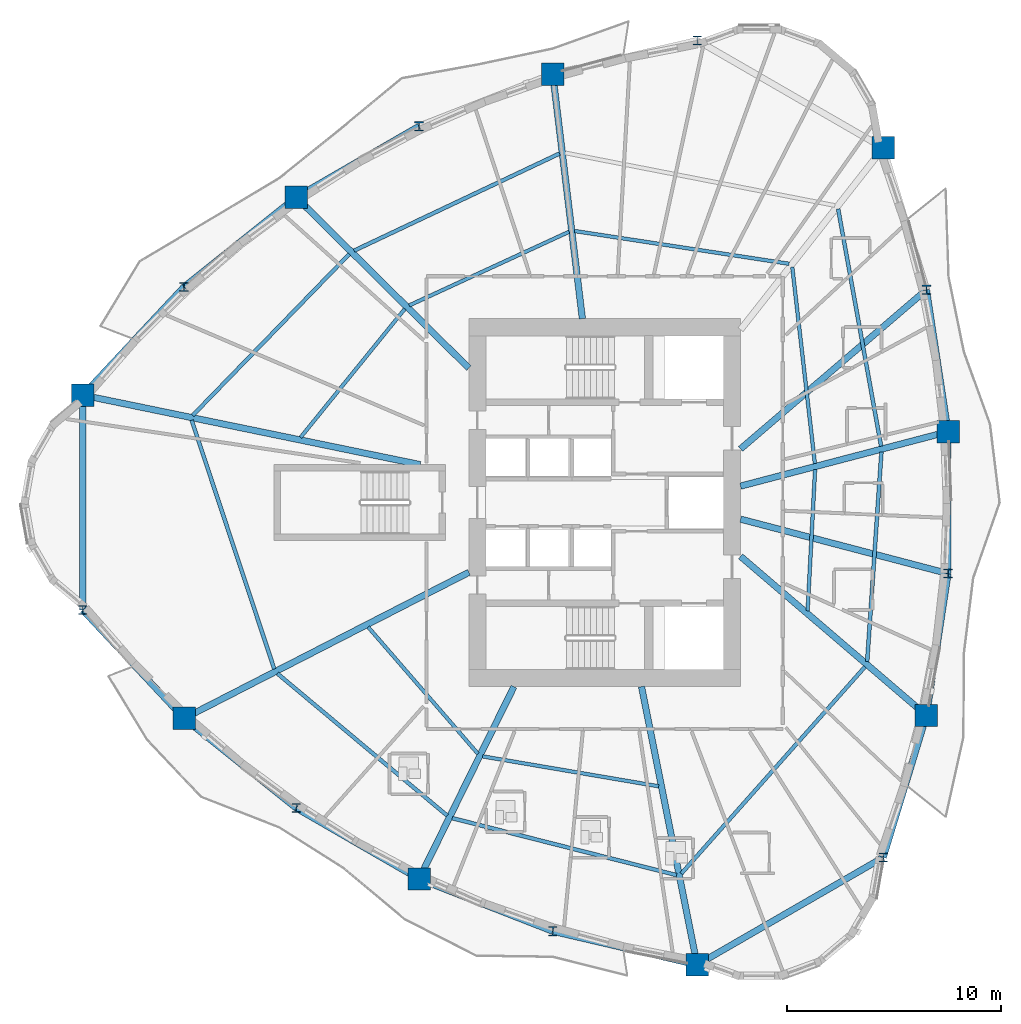
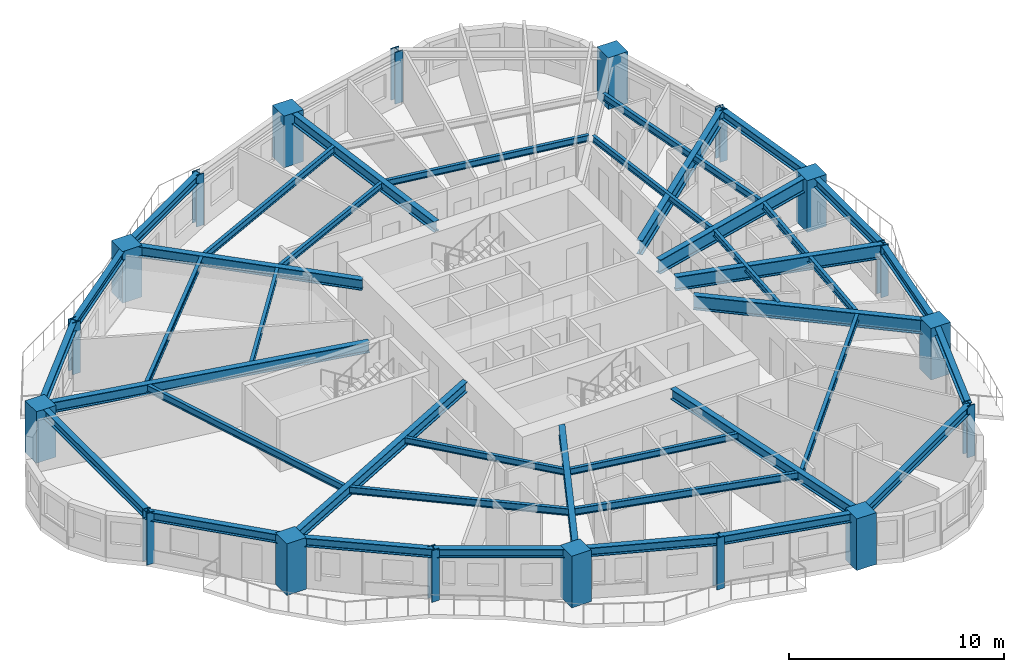
# One storey, part 1 of 14: 39 beams, 18 columns.
"""IFC4 building model written with IfcOpenShell, lengths in metres."""

import ifcopenshell
import ifcopenshell.guid

model = None  # the IFC model being written
_history = None  # IfcOwnerHistory: only IFC2X3 demands one
_inside = {}  # id of a spatial element -> (the spatial element, [elements in it])
_under = {}  # id of a project, library or spatial element -> (it, [spatial elements below it])
_declared = {}  # id of a project -> (the project, [libraries it declares])
_typed = {}  # id of a type object -> (the type object, [elements of that type])
_made_of = {}  # id of a material, layer set ... -> (it, [elements and type objects made of it])


def new_model(schema):
    """Start an empty IFC model of exactly this schema.

    Asked for "IFC4X3", IfcOpenShell would pick the latest addendum, in which some entities
    have other attributes; the version numbers below select the first issue.
    IFC2X3 requires an IfcOwnerHistory on every rooted entity: one is made here for all.
    """
    global model, _history
    if schema == "IFC4X3":
        model = ifcopenshell.file(schema_version=(4, 3, 0, 0))
    else:
        model = ifcopenshell.file(schema=schema)
    _inside.clear()
    _under.clear()
    _declared.clear()
    _typed.clear()
    _made_of.clear()
    _history = None
    if model.schema == "IFC2X3":
        org = make("IfcOrganization", Name="unknown")
        user = make(
            "IfcPersonAndOrganization",
            ThePerson=make("IfcPerson", FamilyName="unknown"),
            TheOrganization=org,
        )
        app = make(
            "IfcApplication",
            ApplicationDeveloper=org,
            Version="unknown",
            ApplicationFullName="unknown",
            ApplicationIdentifier="unknown",
        )
        _history = make(
            "IfcOwnerHistory",
            OwningUser=user,
            OwningApplication=app,
            ChangeAction="ADDED",
            CreationDate=0,
        )
    return model


def make(cls, **values):
    """One entity of the class cls with the attributes given. An attribute that is None is left unset."""
    return model.create_entity(
        cls, **{name: value for name, value in values.items() if value is not None}
    )


def rooted(cls, **values):
    """An entity with a GlobalId (a new one), such as an element, a storey or a relation."""
    return make(cls, GlobalId=ifcopenshell.guid.new(), OwnerHistory=_history, **values)


def si_unit(unit_type, name, prefix=None):
    """IfcSIUnit, for example si_unit("LENGTHUNIT", "METRE", prefix="MILLI")."""
    return make("IfcSIUnit", UnitType=unit_type, Prefix=prefix, Name=name)


def assignment(units):
    """IfcUnitAssignment: the units of a project."""
    return None if units is None else make("IfcUnitAssignment", Units=units)


def point(xyz):
    """IfcCartesianPoint."""
    return None if xyz is None else make("IfcCartesianPoint", Coordinates=xyz)


def direction(xyz):
    """IfcDirection."""
    return None if xyz is None else make("IfcDirection", DirectionRatios=xyz)


def frame(location, z_axis=None, x_axis=None):
    """IfcAxis2Placement3D, a coordinate frame: its origin and axes. An axis left out is left unset."""
    return make(
        "IfcAxis2Placement3D",
        Location=point(location),
        Axis=direction(z_axis),
        RefDirection=direction(x_axis),
    )


def frame_2d(location, x_axis=None):
    """IfcAxis2Placement2D, a coordinate frame in the plane: its origin and x axis."""
    return make(
        "IfcAxis2Placement2D", Location=point(location), RefDirection=direction(x_axis)
    )


def origin():
    """The frame at (0, 0, 0) with its axes left unset."""
    return frame((0.0, 0.0, 0.0))


def origin_2d():
    """The frame at (0, 0) in the plane with its x axis left unset."""
    return frame_2d((0.0, 0.0))


def place(relative_to, where):
    """IfcLocalPlacement: puts the frame where relative to a parent placement (None: the world)."""
    return make(
        "IfcLocalPlacement", PlacementRelTo=relative_to, RelativePlacement=where
    )


def context(
    kind, dimensions, precision=None, world=None, true_north=None, identifier=None
):
    """IfcGeometricRepresentationContext, for example the 3D "Model" context."""
    return make(
        "IfcGeometricRepresentationContext",
        ContextIdentifier=identifier,
        ContextType=kind,
        CoordinateSpaceDimension=dimensions,
        Precision=precision,
        WorldCoordinateSystem=world,
        TrueNorth=true_north,
    )


def subcontext(parent, identifier, kind, view, scale=None):
    """IfcGeometricRepresentationSubContext, for example "Body" below "Model"."""
    return make(
        "IfcGeometricRepresentationSubContext",
        ContextIdentifier=identifier,
        ContextType=kind,
        ParentContext=parent,
        TargetScale=scale,
        TargetView=view,
    )


def project(units=None, contexts=None):
    """IfcProject with its units and contexts."""
    return rooted(
        "IfcProject",
        Name="project",
        RepresentationContexts=contexts,
        UnitsInContext=assignment(units),
    )


def spatial(cls, under=None, at=None, **own):
    """A site, building, storey or space (cls), placed at a placement, below another one or the project."""
    s = rooted(cls, ObjectPlacement=at, **own)
    if under is not None:
        _under.setdefault(under.id(), (under, []))[1].append(s)
    return s


def profile(cls, at=None, kind="AREA", **sizes):
    """A parametric profile (cls). Its sizes go by their IFC names, for example OverallWidth=200.0."""
    return make(cls, ProfileType=kind, Position=at, **sizes)


def rectangle(**sizes):
    """IfcRectangleProfileDef."""
    return profile("IfcRectangleProfileDef", **sizes)


def i_section(**sizes):
    """IfcIShapeProfileDef."""
    return profile("IfcIShapeProfileDef", **sizes)


def extrude(swept, where, along, depth):
    """IfcExtrudedAreaSolid: the profile swept, set in the frame where, extruded along a direction by depth."""
    return make(
        "IfcExtrudedAreaSolid",
        SweptArea=swept,
        Position=where,
        ExtrudedDirection=direction(along),
        Depth=depth,
    )


def shape(context_of_items, identifier, shape_type, items):
    """IfcShapeRepresentation: the items that make up one representation, for example the "Body"."""
    return make(
        "IfcShapeRepresentation",
        ContextOfItems=context_of_items,
        RepresentationIdentifier=identifier,
        RepresentationType=shape_type,
        Items=items,
    )


def source(mapping_origin, context_of_items, identifier, shape_type, items):
    """IfcRepresentationMap: a shape defined once, which mapped items show again and again."""
    return make(
        "IfcRepresentationMap",
        MappingOrigin=mapping_origin,
        MappedRepresentation=shape(context_of_items, identifier, shape_type, items),
    )


def transform(
    local_origin,
    x_axis=None,
    y_axis=None,
    z_axis=None,
    scale=None,
    scale2=None,
    scale3=None,
    uniform=True,
):
    """IfcCartesianTransformationOperator3D, or its non-uniform kind. x_axis, y_axis, z_axis: its Axis1, 2, 3."""
    if uniform:
        return make(
            "IfcCartesianTransformationOperator3D",
            Axis1=direction(x_axis),
            Axis2=direction(y_axis),
            LocalOrigin=point(local_origin),
            Scale=scale,
            Axis3=direction(z_axis),
        )
    return make(
        "IfcCartesianTransformationOperator3DnonUniform",
        Axis1=direction(x_axis),
        Axis2=direction(y_axis),
        LocalOrigin=point(local_origin),
        Scale=scale,
        Axis3=direction(z_axis),
        Scale2=scale2,
        Scale3=scale3,
    )


def mapped(mapping_source, mapping_target):
    """IfcMappedItem: shows the shape of a source again, moved by a transform."""
    return make(
        "IfcMappedItem", MappingSource=mapping_source, MappingTarget=mapping_target
    )


def material(Name=None, Category=None):
    """IfcMaterial."""
    return make("IfcMaterial", Name=Name, Category=Category)


def material_profile(
    of_material, cross_section, Name=None, Category=None, Priority=None
):
    """IfcMaterialProfile: a cross section and its material."""
    return make(
        "IfcMaterialProfile",
        Name=Name,
        Material=of_material,
        Profile=cross_section,
        Priority=Priority,
        Category=Category,
    )


def profile_set(profiles, Name=None, composite=None):
    """IfcMaterialProfileSet."""
    return make(
        "IfcMaterialProfileSet",
        Name=Name,
        MaterialProfiles=profiles,
        CompositeProfile=composite,
    )


def made_of(thing, what):
    """Note that an element or type object is made of a material, layer set ...; save() writes the relation."""
    if what is not None:
        _made_of.setdefault(what.id(), (what, []))[1].append(thing)
    return thing


def type_object(cls, material=None, **own):
    """A type object (cls), such as IfcWallType, which elements share."""
    return made_of(rooted(cls, **own), material)


def element(
    cls,
    number,
    at=None,
    inside=None,
    cuts=None,
    type_object=None,
    material=None,
    context=None,
    identifier="Body",
    shape_type=None,
    held_by="IfcProductDefinitionShape",
    body=None,
    shapes=None,
    **own,
):
    """One element of the class cls, such as IfcWall. Its Tag is "e" and its number.

    at: its placement. inside: the storey or other place that contains it. cuts: it is an
    opening in that element (IfcRelVoidsElement). A single representation is given by context,
    identifier, shape_type and body (its items); several are given by shapes. held_by: the class
    of the entity that holds the representations. save() writes the other relations.
    """
    e = rooted(cls, Tag="e%d" % number, ObjectPlacement=at, **own)
    if body is not None:
        shapes = [shape(context, identifier, shape_type, body)]
    if shapes is not None:
        e.Representation = make(held_by, Representations=shapes)
    if inside is not None:
        _inside.setdefault(inside.id(), (inside, []))[1].append(e)
    if cuts is not None:
        rooted(
            "IfcRelVoidsElement", RelatingBuildingElement=cuts, RelatedOpeningElement=e
        )
    if type_object is not None:
        _typed.setdefault(type_object.id(), (type_object, []))[1].append(e)
    return made_of(e, material)


def aggregate(whole, parts):
    """IfcRelAggregates: a whole, such as a stair, and the parts it consists of."""
    return rooted("IfcRelAggregates", RelatingObject=whole, RelatedObjects=parts)


def save(model, path):
    """Write the relations noted so far, then the file.

    IfcRelAggregates (storeys below a building ...), IfcRelContainedInSpatialStructure (elements
    in a storey), IfcRelDefinesByType, IfcRelAssociatesMaterial and IfcRelDeclares: one each for
    every whole, place, type object, material and project.
    """
    for whole, parts in _under.values():
        aggregate(whole, parts)
    for where, things in _inside.values():
        rooted(
            "IfcRelContainedInSpatialStructure",
            RelatedElements=things,
            RelatingStructure=where,
        )
    for kind, things in _typed.values():
        rooted("IfcRelDefinesByType", RelatedObjects=things, RelatingType=kind)
    for what, things in _made_of.values():
        rooted("IfcRelAssociatesMaterial", RelatedObjects=things, RelatingMaterial=what)
    for by, libraries in _declared.values():
        rooted("IfcRelDeclares", RelatingContext=by, RelatedDefinitions=libraries)
    model.write(path)


model = new_model("IFC4")

# Units and contexts
model_context = context("Model", 3, precision=1e-05, world=origin(), true_north=direction((0.0, 1.0)))
body_context = subcontext(model_context, "Body", "Model", "MODEL_VIEW")
ifc_project = project(units=[si_unit("LENGTHUNIT", "METRE"), si_unit("AREAUNIT", "SQUARE_METRE"), si_unit("VOLUMEUNIT", "CUBIC_METRE"), si_unit("PLANEANGLEUNIT", "RADIAN"), si_unit("MASSUNIT", "GRAM", prefix="KILO")], contexts=[model_context])

# Site, building, storey
site_placement = place(None, origin())
site = spatial("IfcSite", under=ifc_project, at=site_placement, CompositionType="ELEMENT")
building_placement = place(site_placement, origin())
building = spatial("IfcBuilding", under=site, at=building_placement, Name="Qafzar Sky-Pleat Residences", CompositionType="ELEMENT")
storey_placement = place(building_placement, frame((0.0, 0.0, 23.800048828125)))
storey = spatial("IfcBuildingStorey", under=building, at=storey_placement, Name="L06", CompositionType="ELEMENT", Elevation=23.800048828125)

# Columns
ifc_material_1 = material(Name="Concrete C60/75", Category="concrete")
ifc_material_profile_1 = material_profile(ifc_material_1, rectangle(XDim=1.050048828125, YDim=1.050048828125, at=origin_2d()), Name="RC 1050x1050")
ifc_profile_set_1 = profile_set([ifc_material_profile_1], Name="Concrete C60/75")
column_type_1 = type_object("IfcColumnType", Name="COL-RC-1050", PredefinedType="COLUMN", material=ifc_profile_set_1)
shared_shape_1 = source(origin(), body_context, "Body", "SweptSolid", [
    extrude(rectangle(XDim=1.050048828125, YDim=1.050048828125, at=origin_2d()), origin(), (0.0, 0.0, 1.0), 2.93505859375),
])
for number, where, z_axis, x_axis, name in (
    (1, (5.955078125, 31.02294921875, 0.0), (0.0, 0.0, 1.0), (1.0, 0.0, 0.0), "L06 Perimeter Mega Column 1"),
    (2, (10.6904296875, 15.9150390625, 0.0), (0.0, 0.0, 1.0), (1.0, 0.0, 0.0), "L06 Perimeter Mega Column 3"),
    (3, (21.67333984375, 8.409912109375, 0.0), (0.0, 0.0, 1.0), (1.0, 0.0, 0.0), "L06 Perimeter Mega Column 5"),
    (4, (34.672607421875, 4.39697265625, 0.0), (0.0, 0.0, 1.0), (1.0, 0.0, 0.0), "L06 Perimeter Mega Column 7"),
    (5, (45.388671875, 16.052001953125, 0.0), (0.0, 0.0, 1.0), (1.0, 0.0, 0.0), "L06 Perimeter Mega Column 9"),
    (6, (46.396728515625, 29.31591796875, 0.0), (0.0, 0.0, 1.0), (1.0, 0.0, 0.0), "L06 Perimeter Mega Column 11"),
    (7, (43.37255859375, 42.580078125, 0.0), (0.0, 0.0, 1.0), (1.0, 0.0, 0.0), "L06 Perimeter Mega Column 13"),
    (8, (27.9208984375, 46.032958984375, 0.0), (0.0, 0.0, 1.0), (1.0, 0.0, 0.0), "L06 Perimeter Mega Column 15"),
    (9, (15.929931640625, 40.27392578125, 0.0), (0.0, 0.0, 1.0), (1.0, 0.0, 0.0), "L06 Perimeter Mega Column 17"),
):
    element("IfcColumn", number, at=place(storey_placement, frame(where, z_axis=z_axis, x_axis=x_axis)), inside=storey, type_object=column_type_1, Name=name, PredefinedType="COLUMN", context=body_context, shape_type="MappedRepresentation", body=[
        mapped(shared_shape_1, transform((0.0, 0.0, 0.0), x_axis=(1.0, 0.0, 0.0), y_axis=(0.0, 1.0, 0.0), z_axis=(0.0, 0.0, 1.0), scale=1.0)),
    ])
ifc_material_2 = material(Name="Steel S460", Category="steel")
ifc_material_profile_2 = material_profile(ifc_material_2, i_section(OverallWidth=0.408935546875, OverallDepth=0.425048828125, WebThickness=0.030029296875, FlangeThickness=0.048095703125, FilletRadius=0.014892578125, at=origin_2d()), Name="HD 400x421")
ifc_profile_set_2 = profile_set([ifc_material_profile_2], Name="Steel S460")
column_type_2 = type_object("IfcColumnType", Name="COL-STL-HD421", PredefinedType="PILASTER", material=ifc_profile_set_2)
shared_shape_2 = source(origin(), body_context, "Body", "SweptSolid", [
    extrude(i_section(OverallWidth=0.408935546875, OverallDepth=0.425048828125, WebThickness=0.030029296875, FlangeThickness=0.048095703125, FilletRadius=0.014892578125, at=origin_2d()), origin(), (0.0, 0.0, 1.0), 2.93505859375),
])
for number, where, z_axis, x_axis, name in (
    (10, (5.955078125, 20.97705078125, 0.0), (0.0, 0.0, 1.0), (1.0, 0.0, 0.0), "L06 Perimeter Mega Column 2"),
    (11, (15.929931640625, 11.72607421875, 0.0), (0.0, 0.0, 1.0), (1.0, 0.0, 0.0), "L06 Perimeter Mega Column 4"),
    (12, (27.9208984375, 5.967041015625, 0.0), (0.0, 0.0, 1.0), (1.0, 0.0, 0.0), "L06 Perimeter Mega Column 6"),
    (13, (43.37255859375, 9.419921875, 0.0), (0.0, 0.0, 1.0), (1.0, 0.0, 0.0), "L06 Perimeter Mega Column 8"),
    (14, (46.396728515625, 22.68408203125, 0.0), (0.0, 0.0, 1.0), (1.0, 0.0, 0.0), "L06 Perimeter Mega Column 10"),
    (15, (45.388671875, 35.947998046875, 0.0), (0.0, 0.0, 1.0), (1.0, 0.0, 0.0), "L06 Perimeter Mega Column 12"),
    (16, (34.672607421875, 47.60302734375, 0.0), (0.0, 0.0, 1.0), (1.0, 0.0, 0.0), "L06 Perimeter Mega Column 14"),
    (17, (21.67333984375, 43.590087890625, 0.0), (0.0, 0.0, 1.0), (1.0, 0.0, 0.0), "L06 Perimeter Mega Column 16"),
    (18, (10.6904296875, 36.0849609375, 0.0), (0.0, 0.0, 1.0), (1.0, 0.0, 0.0), "L06 Perimeter Mega Column 18"),
):
    element("IfcColumn", number, at=place(storey_placement, frame(where, z_axis=z_axis, x_axis=x_axis)), inside=storey, type_object=column_type_2, Name=name, PredefinedType="PILASTER", context=body_context, shape_type="MappedRepresentation", body=[
        mapped(shared_shape_2, transform((0.0, 0.0, 0.0), x_axis=(1.0, 0.0, 0.0), y_axis=(0.0, 1.0, 0.0), z_axis=(0.0, 0.0, 1.0), scale=1.0)),
    ])

# Beams
ifc_material_3 = material(Name="Steel S355", Category="steel")
ifc_material_profile_3 = material_profile(ifc_material_3, i_section(OverallWidth=0.300048828125, OverallDepth=0.5, WebThickness=0.014404296875, FlangeThickness=0.028076171875, FilletRadius=0.027099609375, at=origin_2d()), Name="HEB 500")
ifc_profile_set_3 = profile_set([ifc_material_profile_3], Name="Steel S355")
beam_type_1 = type_object("IfcBeamType", Name="BM-SPAN-HEB500", PredefinedType="SPANDREL", material=ifc_profile_set_3)
shared_shape_3 = source(origin(), body_context, "Body", "SweptSolid", [
    extrude(i_section(OverallWidth=0.300048828125, OverallDepth=0.5, WebThickness=0.014404296875, FlangeThickness=0.028076171875, FilletRadius=0.027099609375, at=origin_2d()), origin(), (0.0, 0.0, 1.0), 10.0458984375),
])
for number, where, z_axis, x_axis, name in (
    (19, (5.955078125, 31.02294921875, 2.682861328125), (0.0, -1.0, 0.0), (1.0, 0.0, 0.0), "L06 Perimeter Spandrel Beam 1"),
    (20, (34.672607421875, 4.39697265625, 2.682861328125), (0.866024107753, 0.500002244785, 0.0), (-0.500002244785, 0.866024107753, 0.0), "L06 Perimeter Spandrel Beam 7"),
):
    element("IfcBeam", number, at=place(storey_placement, frame(where, z_axis=z_axis, x_axis=x_axis)), inside=storey, type_object=beam_type_1, Name=name, PredefinedType="SPANDREL", context=body_context, shape_type="MappedRepresentation", body=[
        mapped(shared_shape_3, transform((0.0, 0.0, 0.0), x_axis=(1.0, 0.0, 0.0), y_axis=(0.0, 1.0, 0.0), z_axis=(0.0, 0.0, 1.0), scale=1.0)),
    ])
shared_shape_4 = source(origin(), body_context, "Body", "SweptSolid", [
    extrude(i_section(OverallWidth=0.300048828125, OverallDepth=0.5, WebThickness=0.014404296875, FlangeThickness=0.028076171875, FilletRadius=0.027099609375, at=origin_2d()), origin(), (0.0, 0.0, 1.0), 6.931640625),
])
for number, where, z_axis, x_axis, name in (
    (21, (5.955078125, 20.97705078125, 2.682861328125), (0.683151069605, -0.730277081728, 0.0), (0.730277081728, 0.683151069605, 0.0), "L06 Perimeter Spandrel Beam 2"),
    (22, (43.37255859375, 9.419921875, 2.682861328125), (0.290851866261, 0.956768097238, 0.0), (-0.956768097238, 0.290851866261, 0.0), "L06 Perimeter Spandrel Beam 8"),
    (23, (10.6904296875, 36.0849609375, 2.682861328125), (-0.683151069605, -0.730277081728, 0.0), (0.730277081728, -0.683151069605, 0.0), "L06 Perimeter Spandrel Beam 18"),
):
    element("IfcBeam", number, at=place(storey_placement, frame(where, z_axis=z_axis, x_axis=x_axis)), inside=storey, type_object=beam_type_1, Name=name, PredefinedType="SPANDREL", context=body_context, shape_type="MappedRepresentation", body=[
        mapped(shared_shape_4, transform((0.0, 0.0, 0.0), x_axis=(1.0, 0.0, 0.0), y_axis=(0.0, 1.0, 0.0), z_axis=(0.0, 0.0, 1.0), scale=1.0)),
    ])
shared_shape_5 = source(origin(), body_context, "Body", "SweptSolid", [
    extrude(i_section(OverallWidth=0.300048828125, OverallDepth=0.5, WebThickness=0.014404296875, FlangeThickness=0.028076171875, FilletRadius=0.027099609375, at=origin_2d()), origin(), (0.0, 0.0, 1.0), 6.708251953125),
])
for number, where, z_axis, x_axis, name in (
    (24, (10.6904296875, 15.9150390625, 2.682861328125), (0.781060509085, -0.624455347602, 0.0), (0.624455347602, 0.781060509085, 0.0), "L06 Perimeter Spandrel Beam 3"),
    (25, (21.67333984375, 8.409912109375, 2.682861328125), (0.931335108282, -0.364163309631, 0.0), (0.364163309631, 0.931335108282, 0.0), "L06 Perimeter Spandrel Beam 5"),
    (26, (45.388671875, 16.052001953125, 2.682861328125), (0.150271102321, 0.988644827937, 0.0), (-0.988644827937, 0.150271102321, 0.0), "L06 Perimeter Spandrel Beam 9"),
    (27, (46.396728515625, 29.31591796875, 2.682861328125), (-0.150271102321, 0.988644827937, 0.0), (-0.988644827937, -0.150271102321, 0.0), "L06 Perimeter Spandrel Beam 11"),
    (28, (15.929931640625, 40.27392578125, 2.682861328125), (-0.781060509085, -0.624455347602, 0.0), (0.624455347602, -0.781060509085, 0.0), "L06 Perimeter Spandrel Beam 17"),
):
    element("IfcBeam", number, at=place(storey_placement, frame(where, z_axis=z_axis, x_axis=x_axis)), inside=storey, type_object=beam_type_1, Name=name, PredefinedType="SPANDREL", context=body_context, shape_type="MappedRepresentation", body=[
        mapped(shared_shape_5, transform((0.0, 0.0, 0.0), x_axis=(1.0, 0.0, 0.0), y_axis=(0.0, 1.0, 0.0), z_axis=(0.0, 0.0, 1.0), scale=1.0)),
    ])
shared_shape_6 = source(origin(), body_context, "Body", "SweptSolid", [
    extrude(i_section(OverallWidth=0.300048828125, OverallDepth=0.5, WebThickness=0.014404296875, FlangeThickness=0.028076171875, FilletRadius=0.027099609375, at=origin_2d()), origin(), (0.0, 0.0, 1.0), 6.632080078125),
])
for number, where, z_axis, x_axis, name in (
    (29, (15.929931640625, 11.72607421875, 2.682861328125), (0.866012094692, -0.500023051316, 0.0), (0.500023051316, 0.866012094692, 0.0), "L06 Perimeter Spandrel Beam 4"),
    (30, (21.67333984375, 43.590087890625, 2.682861328125), (-0.866012094692, -0.500023051316, 0.0), (0.500023051316, -0.866012094692, 0.0), "L06 Perimeter Spandrel Beam 16"),
):
    element("IfcBeam", number, at=place(storey_placement, frame(where, z_axis=z_axis, x_axis=x_axis)), inside=storey, type_object=beam_type_1, Name=name, PredefinedType="SPANDREL", context=body_context, shape_type="MappedRepresentation", body=[
        mapped(shared_shape_6, transform((0.0, 0.0, 0.0), x_axis=(1.0, 0.0, 0.0), y_axis=(0.0, 1.0, 0.0), z_axis=(0.0, 0.0, 1.0), scale=1.0)),
    ])
shared_shape_7 = source(origin(), body_context, "Body", "SweptSolid", [
    extrude(i_section(OverallWidth=0.300048828125, OverallDepth=0.5, WebThickness=0.014404296875, FlangeThickness=0.028076171875, FilletRadius=0.027099609375, at=origin_2d()), origin(), (0.0, 0.0, 1.0), 6.931884765625),
])
beam_1_placement = place(storey_placement, frame((27.9208984375, 5.967041015625, 2.682861328125), z_axis=(0.974011098993, -0.226500284853, 0.0), x_axis=(0.226500284853, 0.974011098993, 0.0)))
element("IfcBeam", 31, at=beam_1_placement, inside=storey, type_object=beam_type_1, Name="L06 Perimeter Spandrel Beam 6", PredefinedType="SPANDREL", context=body_context, shape_type="MappedRepresentation", body=[
    mapped(shared_shape_7, transform((0.0, 0.0, 0.0), x_axis=(1.0, 0.0, 0.0), y_axis=(0.0, 1.0, 0.0), z_axis=(0.0, 0.0, 1.0), scale=1.0)),
])
shared_shape_8 = source(origin(), body_context, "Body", "SweptSolid", [
    extrude(i_section(OverallWidth=0.300048828125, OverallDepth=0.5, WebThickness=0.014404296875, FlangeThickness=0.028076171875, FilletRadius=0.027099609375, at=origin_2d()), origin(), (0.0, 0.0, 1.0), 6.6318359375),
])
beam_2_placement = place(storey_placement, frame((46.396728515625, 22.68408203125, 2.682861328125), z_axis=(0.0, 1.0, 0.0), x_axis=(-1.0, 0.0, 0.0)))
element("IfcBeam", 32, at=beam_2_placement, inside=storey, type_object=beam_type_1, Name="L06 Perimeter Spandrel Beam 10", PredefinedType="SPANDREL", context=body_context, shape_type="MappedRepresentation", body=[
    mapped(shared_shape_8, transform((0.0, 0.0, 0.0), x_axis=(1.0, 0.0, 0.0), y_axis=(0.0, 1.0, 0.0), z_axis=(0.0, 0.0, 1.0), scale=1.0)),
])
ifc_material_profile_4 = material_profile(ifc_material_3, i_section(OverallWidth=0.300048828125, OverallDepth=0.60009765625, WebThickness=0.015380859375, FlangeThickness=0.030029296875, FilletRadius=0.027099609375, at=origin_2d()), Name="HEB 600")
ifc_profile_set_4 = profile_set([ifc_material_profile_4], Name="Steel S355")
beam_type_2 = type_object("IfcBeamType", Name="BM-GIRD-HEB600", PredefinedType="BEAM", material=ifc_profile_set_4)
shared_shape_9 = source(origin(), body_context, "Body", "SweptSolid", [
    extrude(i_section(OverallWidth=0.300048828125, OverallDepth=0.60009765625, WebThickness=0.015380859375, FlangeThickness=0.030029296875, FilletRadius=0.027099609375, at=origin_2d()), origin(), (0.0, 0.0, 1.0), 16.10498046875),
])
beam_3_placement = place(storey_placement, frame((5.955078125, 31.02294921875, 2.633056640625), z_axis=(0.979451847285, -0.201678156603, 0.0), x_axis=(0.201678156603, 0.979451847285, 0.0)))
element("IfcBeam", 33, at=beam_3_placement, inside=storey, type_object=beam_type_2, Name="L06 Radial Floor Girder 1", PredefinedType="BEAM", context=body_context, shape_type="MappedRepresentation", body=[
    mapped(shared_shape_9, transform((0.0, 0.0, 0.0), x_axis=(1.0, 0.0, 0.0), y_axis=(0.0, 1.0, 0.0), z_axis=(0.0, 0.0, 1.0), scale=1.0)),
])
shared_shape_10 = source(origin(), body_context, "Body", "SweptSolid", [
    extrude(i_section(OverallWidth=0.300048828125, OverallDepth=0.60009765625, WebThickness=0.015380859375, FlangeThickness=0.030029296875, FilletRadius=0.027099609375, at=origin_2d()), origin(), (0.0, 0.0, 1.0), 14.958740234375),
])
beam_4_placement = place(storey_placement, frame((10.6904296875, 15.9150390625, 2.633056640625), z_axis=(0.889757302611, 0.45643394095, 0.0), x_axis=(-0.45643394095, 0.889757302611, 0.0)))
element("IfcBeam", 34, at=beam_4_placement, inside=storey, type_object=beam_type_2, Name="L06 Radial Floor Girder 3", PredefinedType="BEAM", context=body_context, shape_type="MappedRepresentation", body=[
    mapped(shared_shape_10, transform((0.0, 0.0, 0.0), x_axis=(1.0, 0.0, 0.0), y_axis=(0.0, 1.0, 0.0), z_axis=(0.0, 0.0, 1.0), scale=1.0)),
])
shared_shape_11 = source(origin(), body_context, "Body", "SweptSolid", [
    extrude(i_section(OverallWidth=0.300048828125, OverallDepth=0.60009765625, WebThickness=0.015380859375, FlangeThickness=0.030029296875, FilletRadius=0.027099609375, at=origin_2d()), origin(), (0.0, 0.0, 1.0), 10.024169921875),
])
beam_5_placement = place(storey_placement, frame((21.67333984375, 8.409912109375, 2.633056640625), z_axis=(0.442384799296, 0.896825339379, 0.0), x_axis=(-0.896825339379, 0.442384799296, 0.0)))
element("IfcBeam", 35, at=beam_5_placement, inside=storey, type_object=beam_type_2, Name="L06 Radial Floor Girder 5", PredefinedType="BEAM", context=body_context, shape_type="MappedRepresentation", body=[
    mapped(shared_shape_11, transform((0.0, 0.0, 0.0), x_axis=(1.0, 0.0, 0.0), y_axis=(0.0, 1.0, 0.0), z_axis=(0.0, 0.0, 1.0), scale=1.0)),
])
shared_shape_12 = source(origin(), body_context, "Body", "SweptSolid", [
    extrude(i_section(OverallWidth=0.300048828125, OverallDepth=0.60009765625, WebThickness=0.015380859375, FlangeThickness=0.030029296875, FilletRadius=0.027099609375, at=origin_2d()), origin(), (0.0, 0.0, 1.0), 13.2607421875),
])
beam_6_placement = place(storey_placement, frame((34.672607421875, 4.39697265625, 2.633056640625), z_axis=(-0.19620464814, 0.980562968936, 0.0), x_axis=(-0.980562968936, -0.19620464814, 0.0)))
element("IfcBeam", 36, at=beam_6_placement, inside=storey, type_object=beam_type_2, Name="L06 Radial Floor Girder 7", PredefinedType="BEAM", context=body_context, shape_type="MappedRepresentation", body=[
    mapped(shared_shape_12, transform((0.0, 0.0, 0.0), x_axis=(1.0, 0.0, 0.0), y_axis=(0.0, 1.0, 0.0), z_axis=(0.0, 0.0, 1.0), scale=1.0)),
])
shared_shape_13 = source(origin(), body_context, "Body", "SweptSolid", [
    extrude(i_section(OverallWidth=0.300048828125, OverallDepth=0.60009765625, WebThickness=0.015380859375, FlangeThickness=0.030029296875, FilletRadius=0.027099609375, at=origin_2d()), origin(), (0.0, 0.0, 1.0), 11.5166015625),
])
beam_7_placement = place(storey_placement, frame((27.9208984375, 46.032958984375, 2.633056640625), z_axis=(0.120368086841, -0.992729330518, 0.0), x_axis=(0.992729330518, 0.120368086841, 0.0)))
element("IfcBeam", 37, at=beam_7_placement, inside=storey, type_object=beam_type_2, Name="L06 Radial Floor Girder 15", PredefinedType="BEAM", context=body_context, shape_type="MappedRepresentation", body=[
    mapped(shared_shape_13, transform((0.0, 0.0, 0.0), x_axis=(1.0, 0.0, 0.0), y_axis=(0.0, 1.0, 0.0), z_axis=(0.0, 0.0, 1.0), scale=1.0)),
])
shared_shape_14 = source(origin(), body_context, "Body", "SweptSolid", [
    extrude(i_section(OverallWidth=0.300048828125, OverallDepth=0.60009765625, WebThickness=0.015380859375, FlangeThickness=0.030029296875, FilletRadius=0.027099609375, at=origin_2d()), origin(), (0.0, 0.0, 1.0), 11.355224609375),
])
beam_8_placement = place(storey_placement, frame((15.929931640625, 40.27392578125, 2.633056640625), z_axis=(0.710698943558, -0.703496276909, 0.0), x_axis=(0.703496276909, 0.710698943558, 0.0)))
element("IfcBeam", 38, at=beam_8_placement, inside=storey, type_object=beam_type_2, Name="L06 Radial Floor Girder 17", PredefinedType="BEAM", context=body_context, shape_type="MappedRepresentation", body=[
    mapped(shared_shape_14, transform((0.0, 0.0, 0.0), x_axis=(1.0, 0.0, 0.0), y_axis=(0.0, 1.0, 0.0), z_axis=(0.0, 0.0, 1.0), scale=1.0)),
])
ifc_material_profile_5 = material_profile(ifc_material_3, i_section(OverallWidth=0.179931640625, OverallDepth=0.39990234375, WebThickness=0.008544921875, FlangeThickness=0.013427734375, FilletRadius=0.02099609375, at=origin_2d()), Name="IPE 400")
ifc_profile_set_5 = profile_set([ifc_material_profile_5], Name="Steel S355")
beam_type_3 = type_object("IfcBeamType", Name="BM-JST-IPE400", PredefinedType="JOIST", material=ifc_profile_set_5)
shared_shape_15 = source(origin(), body_context, "Body", "SweptSolid", [
    extrude(i_section(OverallWidth=0.179931640625, OverallDepth=0.39990234375, WebThickness=0.008544921875, FlangeThickness=0.013427734375, FilletRadius=0.02099609375, at=origin_2d()), origin(), (0.0, 0.0, 1.0), 12.251953125),
])
beam_9_placement = place(storey_placement, frame((11.04541015625, 29.85546875, 2.73291015625), z_axis=(0.31518141932, -0.949031439371, 0.0), x_axis=(0.949031439371, 0.31518141932, 0.0)))
element("IfcBeam", 39, at=beam_9_placement, inside=storey, type_object=beam_type_3, Name="L06 Outer Secondary Floor Joist 1", PredefinedType="JOIST", context=body_context, shape_type="MappedRepresentation", body=[
    mapped(shared_shape_15, transform((0.0, 0.0, 0.0), x_axis=(1.0, 0.0, 0.0), y_axis=(0.0, 1.0, 0.0), z_axis=(0.0, 0.0, 1.0), scale=1.0)),
])
shared_shape_16 = source(origin(), body_context, "Body", "SweptSolid", [
    extrude(i_section(OverallWidth=0.179931640625, OverallDepth=0.39990234375, WebThickness=0.008544921875, FlangeThickness=0.013427734375, FilletRadius=0.02099609375, at=origin_2d()), origin(), (0.0, 0.0, 1.0), 10.347412109375),
])
beam_10_placement = place(storey_placement, frame((15.052978515625, 18.01318359375, 2.73291015625), z_axis=(0.766958843981, -0.641696292369, 0.0), x_axis=(0.641696292369, 0.766958843981, 0.0)))
element("IfcBeam", 40, at=beam_10_placement, inside=storey, type_object=beam_type_3, Name="L06 Outer Secondary Floor Joist 2", PredefinedType="JOIST", context=body_context, shape_type="MappedRepresentation", body=[
    mapped(shared_shape_16, transform((0.0, 0.0, 0.0), x_axis=(1.0, 0.0, 0.0), y_axis=(0.0, 1.0, 0.0), z_axis=(0.0, 0.0, 1.0), scale=1.0)),
])
shared_shape_17 = source(origin(), body_context, "Body", "SweptSolid", [
    extrude(i_section(OverallWidth=0.179931640625, OverallDepth=0.39990234375, WebThickness=0.008544921875, FlangeThickness=0.013427734375, FilletRadius=0.02099609375, at=origin_2d()), origin(), (0.0, 0.0, 1.0), 10.818359375),
])
beam_11_placement = place(storey_placement, frame((23.223388671875, 11.253662109375, 2.73291015625), z_axis=(0.969245210668, -0.246096976003, 0.0), x_axis=(0.246096976003, 0.969245210668, 0.0)))
element("IfcBeam", 41, at=beam_11_placement, inside=storey, type_object=beam_type_3, Name="L06 Outer Secondary Floor Joist 3", PredefinedType="JOIST", context=body_context, shape_type="MappedRepresentation", body=[
    mapped(shared_shape_17, transform((0.0, 0.0, 0.0), x_axis=(1.0, 0.0, 0.0), y_axis=(0.0, 1.0, 0.0), z_axis=(0.0, 0.0, 1.0), scale=1.0)),
])
shared_shape_18 = source(origin(), body_context, "Body", "SweptSolid", [
    extrude(i_section(OverallWidth=0.179931640625, OverallDepth=0.39990234375, WebThickness=0.008544921875, FlangeThickness=0.013427734375, FilletRadius=0.02099609375, at=origin_2d()), origin(), (0.0, 0.0, 1.0), 10.627197265625),
])
beam_12_placement = place(storey_placement, frame((28.242431640625, 42.31689453125, 2.73291015625), z_axis=(-0.904087436568, -0.427347524903, 0.0), x_axis=(0.427347524903, -0.904087436568, 0.0)))
element("IfcBeam", 42, at=beam_12_placement, inside=storey, type_object=beam_type_3, Name="L06 Outer Secondary Floor Joist 8", PredefinedType="JOIST", context=body_context, shape_type="MappedRepresentation", body=[
    mapped(shared_shape_18, transform((0.0, 0.0, 0.0), x_axis=(1.0, 0.0, 0.0), y_axis=(0.0, 1.0, 0.0), z_axis=(0.0, 0.0, 1.0), scale=1.0)),
])
shared_shape_19 = source(origin(), body_context, "Body", "SweptSolid", [
    extrude(i_section(OverallWidth=0.179931640625, OverallDepth=0.39990234375, WebThickness=0.008544921875, FlangeThickness=0.013427734375, FilletRadius=0.02099609375, at=origin_2d()), origin(), (0.0, 0.0, 1.0), 10.51025390625),
])
beam_13_placement = place(storey_placement, frame((18.418212890625, 37.620849609375, 2.73291015625), z_axis=(-0.696611861591, -0.717448196242, 0.0), x_axis=(0.717448196242, -0.696611861591, 0.0)))
element("IfcBeam", 43, at=beam_13_placement, inside=storey, type_object=beam_type_3, Name="L06 Outer Secondary Floor Joist 9", PredefinedType="JOIST", context=body_context, shape_type="MappedRepresentation", body=[
    mapped(shared_shape_19, transform((0.0, 0.0, 0.0), x_axis=(1.0, 0.0, 0.0), y_axis=(0.0, 1.0, 0.0), z_axis=(0.0, 0.0, 1.0), scale=1.0)),
])
ifc_material_profile_6 = material_profile(ifc_material_3, i_section(OverallWidth=0.169921875, OverallDepth=0.360107421875, WebThickness=0.008056640625, FlangeThickness=0.0126953125, FilletRadius=0.01806640625, at=origin_2d()), Name="IPE 360")
ifc_profile_set_6 = profile_set([ifc_material_profile_6], Name="Steel S355")
beam_type_4 = type_object("IfcBeamType", Name="BM-JST-IPE360", PredefinedType="JOIST", material=ifc_profile_set_6)
shared_shape_20 = source(origin(), body_context, "Body", "SweptSolid", [
    extrude(i_section(OverallWidth=0.169921875, OverallDepth=0.360107421875, WebThickness=0.008056640625, FlangeThickness=0.0126953125, FilletRadius=0.01806640625, at=origin_2d()), origin(), (0.0, 0.0, 1.0), 7.82861328125),
])
beam_14_placement = place(storey_placement, frame((19.296875, 20.1826171875, 2.7529296875), z_axis=(0.654796368268, -0.755805342732, 0.0), x_axis=(0.755805342732, 0.654796368268, 0.0)))
element("IfcBeam", 44, at=beam_14_placement, inside=storey, type_object=beam_type_4, Name="L06 Inner Secondary Floor Joist 2", PredefinedType="JOIST", context=body_context, shape_type="MappedRepresentation", body=[
    mapped(shared_shape_20, transform((0.0, 0.0, 0.0), x_axis=(1.0, 0.0, 0.0), y_axis=(0.0, 1.0, 0.0), z_axis=(0.0, 0.0, 1.0), scale=1.0)),
])
shared_shape_21 = source(origin(), body_context, "Body", "SweptSolid", [
    extrude(i_section(OverallWidth=0.169921875, OverallDepth=0.360107421875, WebThickness=0.008056640625, FlangeThickness=0.0126953125, FilletRadius=0.01806640625, at=origin_2d()), origin(), (0.0, 0.0, 1.0), 8.347900390625),
])
beam_15_placement = place(storey_placement, frame((24.64453125, 14.14111328125, 2.7529296875), z_axis=(0.985848742528, -0.167637277646, 0.0), x_axis=(0.167637277646, 0.985848742528, 0.0)))
element("IfcBeam", 45, at=beam_15_placement, inside=storey, type_object=beam_type_4, Name="L06 Inner Secondary Floor Joist 3", PredefinedType="JOIST", context=body_context, shape_type="MappedRepresentation", body=[
    mapped(shared_shape_21, transform((0.0, 0.0, 0.0), x_axis=(1.0, 0.0, 0.0), y_axis=(0.0, 1.0, 0.0), z_axis=(0.0, 0.0, 1.0), scale=1.0)),
])
shared_shape_22 = source(origin(), body_context, "Body", "SweptSolid", [
    extrude(i_section(OverallWidth=0.169921875, OverallDepth=0.360107421875, WebThickness=0.008056640625, FlangeThickness=0.0126953125, FilletRadius=0.01806640625, at=origin_2d()), origin(), (0.0, 0.0, 1.0), 10.143310546875),
])
beam_16_placement = place(storey_placement, frame((38.968505859375, 37.163330078125, 2.7529296875), z_axis=(-0.988524791494, 0.151058719051, 0.0), x_axis=(-0.151058719051, -0.988524791494, 0.0)))
element("IfcBeam", 46, at=beam_16_placement, inside=storey, type_object=beam_type_4, Name="L06 Inner Secondary Floor Joist 7", PredefinedType="JOIST", context=body_context, shape_type="MappedRepresentation", body=[
    mapped(shared_shape_22, transform((0.0, 0.0, 0.0), x_axis=(1.0, 0.0, 0.0), y_axis=(0.0, 1.0, 0.0), z_axis=(0.0, 0.0, 1.0), scale=1.0)),
])
shared_shape_23 = source(origin(), body_context, "Body", "SweptSolid", [
    extrude(i_section(OverallWidth=0.169921875, OverallDepth=0.360107421875, WebThickness=0.008056640625, FlangeThickness=0.0126953125, FilletRadius=0.01806640625, at=origin_2d()), origin(), (0.0, 0.0, 1.0), 8.22314453125),
])
beam_17_placement = place(storey_placement, frame((28.685546875, 38.659423828125, 2.7529296875), z_axis=(-0.908212957779, -0.418508331247, 0.0), x_axis=(0.418508331247, -0.908212957779, 0.0)))
element("IfcBeam", 47, at=beam_17_placement, inside=storey, type_object=beam_type_4, Name="L06 Inner Secondary Floor Joist 8", PredefinedType="JOIST", context=body_context, shape_type="MappedRepresentation", body=[
    mapped(shared_shape_23, transform((0.0, 0.0, 0.0), x_axis=(1.0, 0.0, 0.0), y_axis=(0.0, 1.0, 0.0), z_axis=(0.0, 0.0, 1.0), scale=1.0)),
])
shared_shape_24 = source(origin(), body_context, "Body", "SweptSolid", [
    extrude(i_section(OverallWidth=0.169921875, OverallDepth=0.360107421875, WebThickness=0.008056640625, FlangeThickness=0.0126953125, FilletRadius=0.01806640625, at=origin_2d()), origin(), (0.0, 0.0, 1.0), 7.736328125),
])
beam_18_placement = place(storey_placement, frame((21.009765625, 35.056640625, 2.7529296875), z_axis=(-0.630056656092, -0.776549167867, 0.0), x_axis=(0.776549167867, -0.630056656092, 0.0)))
element("IfcBeam", 48, at=beam_18_placement, inside=storey, type_object=beam_type_4, Name="L06 Inner Secondary Floor Joist 9", PredefinedType="JOIST", context=body_context, shape_type="MappedRepresentation", body=[
    mapped(shared_shape_24, transform((0.0, 0.0, 0.0), x_axis=(1.0, 0.0, 0.0), y_axis=(0.0, 1.0, 0.0), z_axis=(0.0, 0.0, 1.0), scale=1.0)),
])
ifc_material_profile_7 = material_profile(ifc_material_2, i_section(OverallWidth=0.300048828125, OverallDepth=0.800048828125, WebThickness=0.017578125, FlangeThickness=0.032958984375, FilletRadius=0.030029296875, at=origin_2d()), Name="HEB 800")
ifc_profile_set_7 = profile_set([ifc_material_profile_7], Name="Steel S460")
beam_type_5 = type_object("IfcBeamType", Name="BM-CHORD-HEB800", PredefinedType="BEAM", material=ifc_profile_set_7)
shared_shape_25 = source(origin(), body_context, "Body", "SweptSolid", [
    extrude(i_section(OverallWidth=0.300048828125, OverallDepth=0.800048828125, WebThickness=0.017578125, FlangeThickness=0.032958984375, FilletRadius=0.030029296875, at=origin_2d()), origin(), (0.0, 0.0, 1.0), 11.4365234375),
])
for number, where, z_axis, x_axis, name in (
    (49, (45.388671875, 16.052001953125, 2.532958984375), (-0.759740104377, 0.650226863334, 0.0), (-0.650226863334, -0.759740104377, 0.0), "L07 Setback Transfer Girder 9"),
    (50, (45.388671875, 35.947998046875, 2.532958984375), (-0.759740104377, -0.650226863334, 0.0), (0.650226863334, -0.759740104377, 0.0), "L07 Setback Transfer Girder 12"),
):
    element("IfcBeam", number, at=place(storey_placement, frame(where, z_axis=z_axis, x_axis=x_axis)), inside=storey, type_object=beam_type_5, Name=name, PredefinedType="BEAM", context=body_context, shape_type="MappedRepresentation", body=[
        mapped(shared_shape_25, transform((0.0, 0.0, 0.0), x_axis=(1.0, 0.0, 0.0), y_axis=(0.0, 1.0, 0.0), z_axis=(0.0, 0.0, 1.0), scale=1.0)),
    ])
shared_shape_26 = source(origin(), body_context, "Body", "SweptSolid", [
    extrude(i_section(OverallWidth=0.300048828125, OverallDepth=0.800048828125, WebThickness=0.017578125, FlangeThickness=0.032958984375, FilletRadius=0.030029296875, at=origin_2d()), origin(), (0.0, 0.0, 1.0), 10.025146484375),
])
for number, where, z_axis, x_axis, name in (
    (51, (46.396728515625, 22.68408203125, 2.532958984375), (-0.967248755115, 0.25383034832, 0.0), (-0.25383034832, -0.967248755115, 0.0), "L07 Setback Transfer Girder 10"),
    (52, (46.396728515625, 29.31591796875, 2.532958984375), (-0.967248755115, -0.25383034832, 0.0), (0.25383034832, -0.967248755115, 0.0), "L07 Setback Transfer Girder 11"),
):
    element("IfcBeam", number, at=place(storey_placement, frame(where, z_axis=z_axis, x_axis=x_axis)), inside=storey, type_object=beam_type_5, Name=name, PredefinedType="BEAM", context=body_context, shape_type="MappedRepresentation", body=[
        mapped(shared_shape_26, transform((0.0, 0.0, 0.0), x_axis=(1.0, 0.0, 0.0), y_axis=(0.0, 1.0, 0.0), z_axis=(0.0, 0.0, 1.0), scale=1.0)),
    ])
shared_shape_27 = source(origin(), body_context, "Body", "SweptSolid", [
    extrude(i_section(OverallWidth=0.179931640625, OverallDepth=0.39990234375, WebThickness=0.008544921875, FlangeThickness=0.013427734375, FilletRadius=0.02099609375, at=origin_2d()), origin(), (0.0, 0.0, 1.0), 12.934814453125),
])
beam_19_placement = place(storey_placement, frame((33.9296875, 8.658935546875, 2.73291015625), z_axis=(0.664012305255, 0.747721645045, 0.0), x_axis=(-0.747721645045, 0.664012305255, 0.0)))
element("IfcBeam", 53, at=beam_19_placement, inside=storey, type_object=beam_type_3, Name="L06 Outer Secondary Floor Joist 4", PredefinedType="JOIST", context=body_context, shape_type="MappedRepresentation", body=[
    mapped(shared_shape_27, transform((0.0, 0.0, 0.0), x_axis=(1.0, 0.0, 0.0), y_axis=(0.0, 1.0, 0.0), z_axis=(0.0, 0.0, 1.0), scale=1.0)),
])
shared_shape_28 = source(origin(), body_context, "Body", "SweptSolid", [
    extrude(i_section(OverallWidth=0.179931640625, OverallDepth=0.39990234375, WebThickness=0.008544921875, FlangeThickness=0.013427734375, FilletRadius=0.02099609375, at=origin_2d()), origin(), (0.0, 0.0, 1.0), 9.8232421875),
])
beam_20_placement = place(storey_placement, frame((42.617431640625, 18.56640625, 2.73291015625), z_axis=(0.067924371931, 0.997690472891, 0.0), x_axis=(-0.997690472891, 0.067924371931, 0.0)))
element("IfcBeam", 54, at=beam_20_placement, inside=storey, type_object=beam_type_3, Name="L06 Outer Secondary Floor Joist 5", PredefinedType="JOIST", context=body_context, shape_type="MappedRepresentation", body=[
    mapped(shared_shape_28, transform((0.0, 0.0, 0.0), x_axis=(1.0, 0.0, 0.0), y_axis=(0.0, 1.0, 0.0), z_axis=(0.0, 0.0, 1.0), scale=1.0)),
])
shared_shape_29 = source(origin(), body_context, "Body", "SweptSolid", [
    extrude(i_section(OverallWidth=0.179931640625, OverallDepth=0.39990234375, WebThickness=0.008544921875, FlangeThickness=0.013427734375, FilletRadius=0.02099609375, at=origin_2d()), origin(), (0.0, 0.0, 1.0), 11.274658203125),
])
beam_21_placement = place(storey_placement, frame((43.269775390625, 28.634521484375, 2.73291015625), z_axis=(-0.178147937342, 0.984003715654, 0.0), x_axis=(-0.984003715654, -0.178147937342, 0.0)))
element("IfcBeam", 55, at=beam_21_placement, inside=storey, type_object=beam_type_3, Name="L06 Outer Secondary Floor Joist 6", PredefinedType="JOIST", context=body_context, shape_type="MappedRepresentation", body=[
    mapped(shared_shape_29, transform((0.0, 0.0, 0.0), x_axis=(1.0, 0.0, 0.0), y_axis=(0.0, 1.0, 0.0), z_axis=(0.0, 0.0, 1.0), scale=1.0)),
])
shared_shape_30 = source(origin(), body_context, "Body", "SweptSolid", [
    extrude(i_section(OverallWidth=0.169921875, OverallDepth=0.360107421875, WebThickness=0.008056640625, FlangeThickness=0.0126953125, FilletRadius=0.01806640625, at=origin_2d()), origin(), (0.0, 0.0, 1.0), 6.61572265625),
])
beam_22_placement = place(storey_placement, frame((39.8349609375, 20.946044921875, 2.7529296875), z_axis=(0.052698291388, 0.998610479659, 0.0), x_axis=(-0.998610479659, 0.052698291388, 0.0)))
element("IfcBeam", 56, at=beam_22_placement, inside=storey, type_object=beam_type_4, Name="L06 Inner Secondary Floor Joist 5", PredefinedType="JOIST", context=body_context, shape_type="MappedRepresentation", body=[
    mapped(shared_shape_30, transform((0.0, 0.0, 0.0), x_axis=(1.0, 0.0, 0.0), y_axis=(0.0, 1.0, 0.0), z_axis=(0.0, 0.0, 1.0), scale=1.0)),
])
shared_shape_31 = source(origin(), body_context, "Body", "SweptSolid", [
    extrude(i_section(OverallWidth=0.169921875, OverallDepth=0.360107421875, WebThickness=0.008056640625, FlangeThickness=0.0126953125, FilletRadius=0.01806640625, at=origin_2d()), origin(), (0.0, 0.0, 1.0), 9.248046875),
])
beam_23_placement = place(storey_placement, frame((40.17529296875, 27.821533203125, 2.7529296875), z_axis=(-0.114388629764, 0.993436078155, 0.0), x_axis=(-0.993436078155, -0.114388629764, 0.0)))
element("IfcBeam", 57, at=beam_23_placement, inside=storey, type_object=beam_type_4, Name="L06 Inner Secondary Floor Joist 6", PredefinedType="JOIST", context=body_context, shape_type="MappedRepresentation", body=[
    mapped(shared_shape_31, transform((0.0, 0.0, 0.0), x_axis=(1.0, 0.0, 0.0), y_axis=(0.0, 1.0, 0.0), z_axis=(0.0, 0.0, 1.0), scale=1.0)),
])

save(model, "model.ifc")
